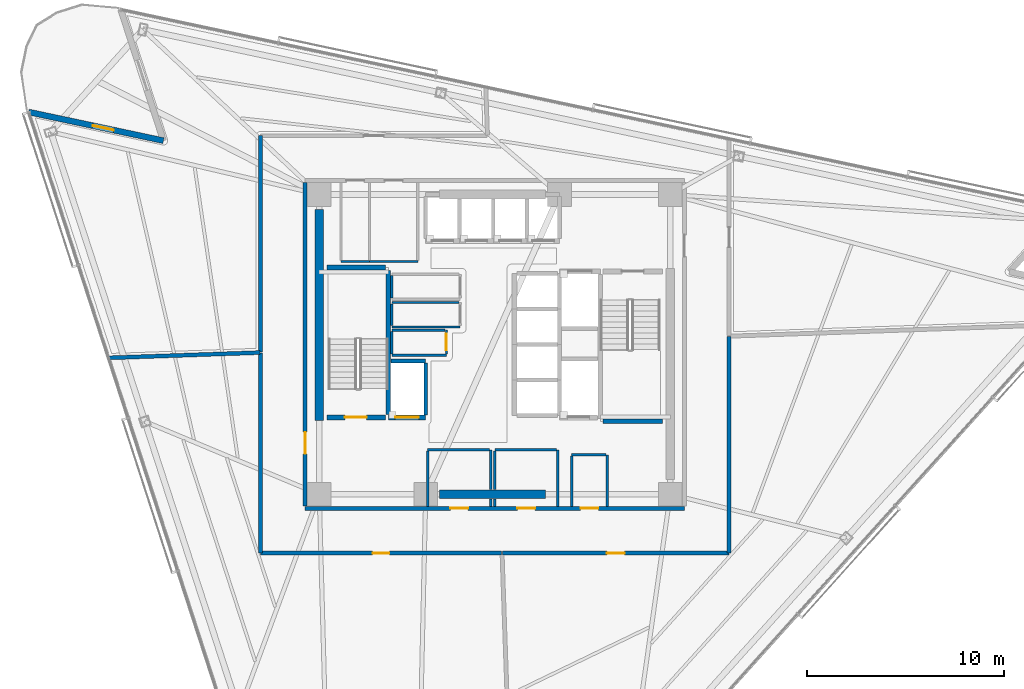
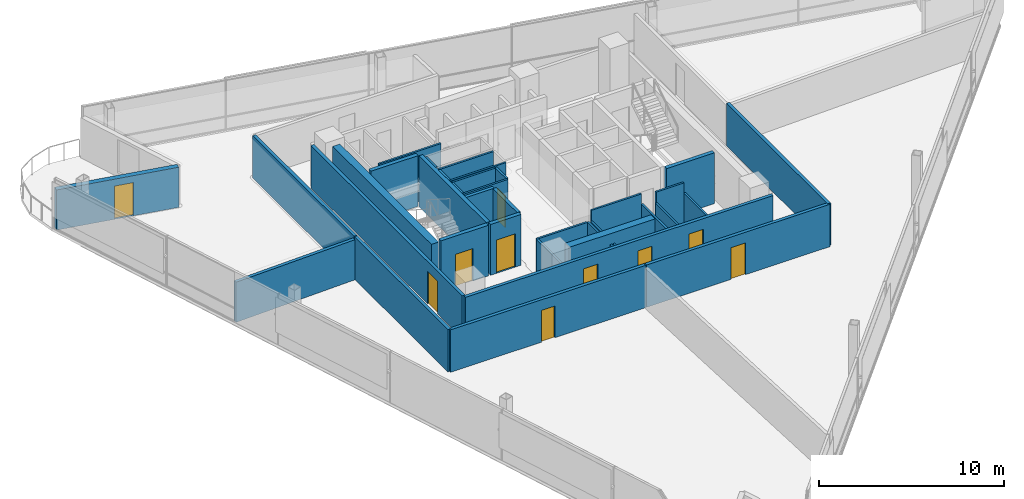
# One storey, part 10 of 17: 39 walls, 10 doors, 10 openings.
"""IFC4 building model written with IfcOpenShell, lengths in metres."""

import ifcopenshell
import ifcopenshell.guid

model = None  # the IFC model being written
_history = None  # IfcOwnerHistory: only IFC2X3 demands one
_inside = {}  # id of a spatial element -> (the spatial element, [elements in it])
_under = {}  # id of a project, library or spatial element -> (it, [spatial elements below it])
_declared = {}  # id of a project -> (the project, [libraries it declares])
_typed = {}  # id of a type object -> (the type object, [elements of that type])
_made_of = {}  # id of a material, layer set ... -> (it, [elements and type objects made of it])


def new_model(schema):
    """Start an empty IFC model of exactly this schema.

    Asked for "IFC4X3", IfcOpenShell would pick the latest addendum, in which some entities
    have other attributes; the version numbers below select the first issue.
    IFC2X3 requires an IfcOwnerHistory on every rooted entity: one is made here for all.
    """
    global model, _history
    if schema == "IFC4X3":
        model = ifcopenshell.file(schema_version=(4, 3, 0, 0))
    else:
        model = ifcopenshell.file(schema=schema)
    _inside.clear()
    _under.clear()
    _declared.clear()
    _typed.clear()
    _made_of.clear()
    _history = None
    if model.schema == "IFC2X3":
        org = make("IfcOrganization", Name="unknown")
        user = make(
            "IfcPersonAndOrganization",
            ThePerson=make("IfcPerson", FamilyName="unknown"),
            TheOrganization=org,
        )
        app = make(
            "IfcApplication",
            ApplicationDeveloper=org,
            Version="unknown",
            ApplicationFullName="unknown",
            ApplicationIdentifier="unknown",
        )
        _history = make(
            "IfcOwnerHistory",
            OwningUser=user,
            OwningApplication=app,
            ChangeAction="ADDED",
            CreationDate=0,
        )
    return model


def make(cls, **values):
    """One entity of the class cls with the attributes given. An attribute that is None is left unset."""
    return model.create_entity(
        cls, **{name: value for name, value in values.items() if value is not None}
    )


def rooted(cls, **values):
    """An entity with a GlobalId (a new one), such as an element, a storey or a relation."""
    return make(cls, GlobalId=ifcopenshell.guid.new(), OwnerHistory=_history, **values)


def si_unit(unit_type, name, prefix=None):
    """IfcSIUnit, for example si_unit("LENGTHUNIT", "METRE", prefix="MILLI")."""
    return make("IfcSIUnit", UnitType=unit_type, Prefix=prefix, Name=name)


def assignment(units):
    """IfcUnitAssignment: the units of a project."""
    return None if units is None else make("IfcUnitAssignment", Units=units)


def point(xyz):
    """IfcCartesianPoint."""
    return None if xyz is None else make("IfcCartesianPoint", Coordinates=xyz)


def direction(xyz):
    """IfcDirection."""
    return None if xyz is None else make("IfcDirection", DirectionRatios=xyz)


def frame(location, z_axis=None, x_axis=None):
    """IfcAxis2Placement3D, a coordinate frame: its origin and axes. An axis left out is left unset."""
    return make(
        "IfcAxis2Placement3D",
        Location=point(location),
        Axis=direction(z_axis),
        RefDirection=direction(x_axis),
    )


def frame_2d(location, x_axis=None):
    """IfcAxis2Placement2D, a coordinate frame in the plane: its origin and x axis."""
    return make(
        "IfcAxis2Placement2D", Location=point(location), RefDirection=direction(x_axis)
    )


def origin():
    """The frame at (0, 0, 0) with its axes left unset."""
    return frame((0.0, 0.0, 0.0))


def place(relative_to, where):
    """IfcLocalPlacement: puts the frame where relative to a parent placement (None: the world)."""
    return make(
        "IfcLocalPlacement", PlacementRelTo=relative_to, RelativePlacement=where
    )


def context(
    kind, dimensions, precision=None, world=None, true_north=None, identifier=None
):
    """IfcGeometricRepresentationContext, for example the 3D "Model" context."""
    return make(
        "IfcGeometricRepresentationContext",
        ContextIdentifier=identifier,
        ContextType=kind,
        CoordinateSpaceDimension=dimensions,
        Precision=precision,
        WorldCoordinateSystem=world,
        TrueNorth=true_north,
    )


def subcontext(parent, identifier, kind, view, scale=None):
    """IfcGeometricRepresentationSubContext, for example "Body" below "Model"."""
    return make(
        "IfcGeometricRepresentationSubContext",
        ContextIdentifier=identifier,
        ContextType=kind,
        ParentContext=parent,
        TargetScale=scale,
        TargetView=view,
    )


def project(units=None, contexts=None):
    """IfcProject with its units and contexts."""
    return rooted(
        "IfcProject",
        Name="project",
        RepresentationContexts=contexts,
        UnitsInContext=assignment(units),
    )


def spatial(cls, under=None, at=None, **own):
    """A site, building, storey or space (cls), placed at a placement, below another one or the project."""
    s = rooted(cls, ObjectPlacement=at, **own)
    if under is not None:
        _under.setdefault(under.id(), (under, []))[1].append(s)
    return s


def profile(cls, at=None, kind="AREA", **sizes):
    """A parametric profile (cls). Its sizes go by their IFC names, for example OverallWidth=200.0."""
    return make(cls, ProfileType=kind, Position=at, **sizes)


def rectangle(**sizes):
    """IfcRectangleProfileDef."""
    return profile("IfcRectangleProfileDef", **sizes)


def extrude(swept, where, along, depth):
    """IfcExtrudedAreaSolid: the profile swept, set in the frame where, extruded along a direction by depth."""
    return make(
        "IfcExtrudedAreaSolid",
        SweptArea=swept,
        Position=where,
        ExtrudedDirection=direction(along),
        Depth=depth,
    )


def shape(context_of_items, identifier, shape_type, items):
    """IfcShapeRepresentation: the items that make up one representation, for example the "Body"."""
    return make(
        "IfcShapeRepresentation",
        ContextOfItems=context_of_items,
        RepresentationIdentifier=identifier,
        RepresentationType=shape_type,
        Items=items,
    )


def material(Name=None, Category=None):
    """IfcMaterial."""
    return make("IfcMaterial", Name=Name, Category=Category)


def layer(
    of_material, thickness, ventilated=None, Name=None, Category=None, Priority=None
):
    """IfcMaterialLayer: one layer of a wall or slab, of a material (None: an air gap)."""
    return make(
        "IfcMaterialLayer",
        Material=of_material,
        LayerThickness=thickness,
        IsVentilated=ventilated,
        Name=Name,
        Category=Category,
        Priority=Priority,
    )


def layer_set(layers, Name=None):
    """IfcMaterialLayerSet."""
    return make("IfcMaterialLayerSet", MaterialLayers=layers, LayerSetName=Name)


def made_of(thing, what):
    """Note that an element or type object is made of a material, layer set ...; save() writes the relation."""
    if what is not None:
        _made_of.setdefault(what.id(), (what, []))[1].append(thing)
    return thing


def type_object(cls, material=None, **own):
    """A type object (cls), such as IfcWallType, which elements share."""
    return made_of(rooted(cls, **own), material)


def element(
    cls,
    number,
    at=None,
    inside=None,
    cuts=None,
    type_object=None,
    material=None,
    context=None,
    identifier="Body",
    shape_type=None,
    held_by="IfcProductDefinitionShape",
    body=None,
    shapes=None,
    **own,
):
    """One element of the class cls, such as IfcWall. Its Tag is "e" and its number.

    at: its placement. inside: the storey or other place that contains it. cuts: it is an
    opening in that element (IfcRelVoidsElement). A single representation is given by context,
    identifier, shape_type and body (its items); several are given by shapes. held_by: the class
    of the entity that holds the representations. save() writes the other relations.
    """
    e = rooted(cls, Tag="e%d" % number, ObjectPlacement=at, **own)
    if body is not None:
        shapes = [shape(context, identifier, shape_type, body)]
    if shapes is not None:
        e.Representation = make(held_by, Representations=shapes)
    if inside is not None:
        _inside.setdefault(inside.id(), (inside, []))[1].append(e)
    if cuts is not None:
        rooted(
            "IfcRelVoidsElement", RelatingBuildingElement=cuts, RelatedOpeningElement=e
        )
    if type_object is not None:
        _typed.setdefault(type_object.id(), (type_object, []))[1].append(e)
    return made_of(e, material)


def fill(opening, filler):
    """IfcRelFillsElement: the door or window that sits in an opening."""
    return rooted(
        "IfcRelFillsElement",
        RelatingOpeningElement=opening,
        RelatedBuildingElement=filler,
    )


def aggregate(whole, parts):
    """IfcRelAggregates: a whole, such as a stair, and the parts it consists of."""
    return rooted("IfcRelAggregates", RelatingObject=whole, RelatedObjects=parts)


def save(model, path):
    """Write the relations noted so far, then the file.

    IfcRelAggregates (storeys below a building ...), IfcRelContainedInSpatialStructure (elements
    in a storey), IfcRelDefinesByType, IfcRelAssociatesMaterial and IfcRelDeclares: one each for
    every whole, place, type object, material and project.
    """
    for whole, parts in _under.values():
        aggregate(whole, parts)
    for where, things in _inside.values():
        rooted(
            "IfcRelContainedInSpatialStructure",
            RelatedElements=things,
            RelatingStructure=where,
        )
    for kind, things in _typed.values():
        rooted("IfcRelDefinesByType", RelatedObjects=things, RelatingType=kind)
    for what, things in _made_of.values():
        rooted("IfcRelAssociatesMaterial", RelatedObjects=things, RelatingMaterial=what)
    for by, libraries in _declared.values():
        rooted("IfcRelDeclares", RelatingContext=by, RelatedDefinitions=libraries)
    model.write(path)


model = new_model("IFC4")

# Units and contexts
model_context = context("Model", 3, precision=1e-05, world=origin(), true_north=direction((0.0, 1.0)))
body_context = subcontext(model_context, "Body", "Model", "MODEL_VIEW")
ifc_project = project(units=[si_unit("LENGTHUNIT", "METRE"), si_unit("AREAUNIT", "SQUARE_METRE"), si_unit("VOLUMEUNIT", "CUBIC_METRE"), si_unit("PLANEANGLEUNIT", "RADIAN"), si_unit("MASSUNIT", "GRAM", prefix="KILO")], contexts=[model_context])

# Site, building, storey
site_placement = place(None, origin())
site = spatial("IfcSite", under=ifc_project, at=site_placement, CompositionType="ELEMENT")
building_placement = place(site_placement, origin())
building = spatial("IfcBuilding", under=site, at=building_placement, Name="Tharavind Bronze Gate", CompositionType="ELEMENT")
storey_placement = place(building_placement, frame((0.0, 0.0, 218.449951171875)))
storey = spatial("IfcBuildingStorey", under=building, at=storey_placement, Name="L56", CompositionType="ELEMENT", Elevation=218.449951171875)

# Wall, opening, door
ifc_material_1 = material(Name="Concrete C40/50", Category="concrete")
ifc_layer_1 = layer(ifc_material_1, 0.300048828125)
ifc_layer_set_1 = layer_set([ifc_layer_1], Name="Concrete C40/50")
wall_type_1 = type_object("IfcWallType", Name="EXTERIOR SPANDREL WALL 300", PredefinedType="STANDARD", material=ifc_layer_set_1)
wall_1_placement = place(storey_placement, frame((-16.802734375, 10.329345703125, 0.0), z_axis=(0.0, 0.0, 1.0), x_axis=(-0.9781486268, 0.207906863497, 0.0)))
wall_1 = element("IfcWall", 1, at=wall_1_placement, inside=storey, type_object=wall_type_1, Name="L56 notch cheek wall 1B", PredefinedType="STANDARD", context=body_context, shape_type="SweptSolid", body=[
    extrude(rectangle(XDim=6.97998046875, YDim=0.300048828125, at=frame_2d((3.489990234375, 0.0))), origin(), (0.0, 0.0, 1.0), 2.655029296875),
])
opening_1_placement = place(wall_1_placement, frame((2.570068359375, 0.0, 0.0)))
opening_1 = element("IfcOpeningElement", 2, at=opening_1_placement, cuts=wall_1, Name="Opening ED04", PredefinedType="OPENING", context=body_context, shape_type="SweptSolid", body=[
    extrude(rectangle(XDim=1.10009765625, YDim=2.199951171875, at=frame_2d((0.550048828125, 1.10009765625))), frame((0.0, 0.15990234375, 0.0), z_axis=(0.0, -1.0, 0.0), x_axis=(1.0, 0.0, 0.0)), (0.0, 0.0, 1.0), 0.320048828125),
])
ifc_material_2 = material(Name="Bronze Aluminium & Toughened Glass", Category="aluminium")
door_type_1 = type_object("IfcDoorType", Name="TREE BALCONY ACCESS DOOR 1100X2200", OperationType="SINGLE_SWING_LEFT", PredefinedType="DOOR", material=ifc_material_2)
door_1_placement = place(opening_1_placement, origin())
door_1 = element("IfcDoor", 3, at=door_1_placement, inside=storey, type_object=door_type_1, Name="L56 tree balcony access door", OperationType="SINGLE_SWING_LEFT", OverallHeight=2.199951171875, OverallWidth=1.10009765625, PredefinedType="DOOR", context=body_context, shape_type="SweptSolid", body=[
    extrude(rectangle(XDim=1.10009765625, YDim=2.199951171875, at=frame_2d((0.550048828125, 1.10009765625))), frame((0.0, 0.02490234375, 0.0), z_axis=(0.0, -1.0, 0.0), x_axis=(1.0, 0.0, 0.0)), (0.0, 0.0, 1.0), 0.050048828125),
])
fill(opening_1, door_1)

# Wall, openings, doors
ifc_material_3 = material(Name="Aerated Concrete Block", Category="concrete")
ifc_layer_2 = layer(ifc_material_3, 0.199951171875)
ifc_layer_set_2 = layer_set([ifc_layer_2], Name="Aerated Concrete Block")
wall_type_2 = type_object("IfcWallType", Name="FIRE RATED PARTITION 200", PredefinedType="PARTITIONING", material=ifc_layer_set_2)
wall_2_placement = place(storey_placement, frame((-9.6201171875, -8.320068359375, 0.0), z_axis=(0.0, 0.0, 1.0), x_axis=(1.0, 0.0, 0.0)))
wall_2 = element("IfcWall", 4, at=wall_2_placement, inside=storey, type_object=wall_type_2, Name="L56 south core corridor wall", PredefinedType="PARTITIONING", context=body_context, shape_type="SweptSolid", body=[
    extrude(rectangle(XDim=19.240234375, YDim=0.199951171875, at=frame_2d((9.6201171875, 0.0))), origin(), (0.0, 0.0, 1.0), 2.804931640625),
])
opening_2_placement = place(wall_2_placement, frame((7.3701171875, 0.0, 0.0)))
opening_2 = element("IfcOpeningElement", 5, at=opening_2_placement, cuts=wall_2, Name="Opening ID07", PredefinedType="OPENING", context=body_context, shape_type="SweptSolid", body=[
    extrude(rectangle(XDim=0.89990234375, YDim=2.10009765625, at=frame_2d((0.449951171875, 1.050048828125))), frame((0.0, 0.11009765625, 0.0), z_axis=(0.0, -1.0, 0.0), x_axis=(1.0, 0.0, 0.0)), (0.0, 0.0, 1.0), 0.219951171875),
])
opening_3_placement = place(wall_2_placement, frame((10.77001953125, 0.0, 0.0)))
opening_3 = element("IfcOpeningElement", 6, at=opening_3_placement, cuts=wall_2, Name="Opening ID07", PredefinedType="OPENING", context=body_context, shape_type="SweptSolid", body=[
    extrude(rectangle(XDim=0.89990234375, YDim=2.10009765625, at=frame_2d((0.449951171875, 1.050048828125))), frame((0.0, 0.11009765625, 0.0), z_axis=(0.0, -1.0, 0.0), x_axis=(1.0, 0.0, 0.0)), (0.0, 0.0, 1.0), 0.219951171875),
])
opening_4_placement = place(wall_2_placement, frame((13.969970703125, 0.0, 0.0)))
opening_4 = element("IfcOpeningElement", 7, at=opening_4_placement, cuts=wall_2, Name="Opening ID07", PredefinedType="OPENING", context=body_context, shape_type="SweptSolid", body=[
    extrude(rectangle(XDim=0.89990234375, YDim=2.10009765625, at=frame_2d((0.449951171875, 1.050048828125))), frame((0.0, 0.11009765625, 0.0), z_axis=(0.0, -1.0, 0.0), x_axis=(1.0, 0.0, 0.0)), (0.0, 0.0, 1.0), 0.219951171875),
])
ifc_material_4 = material(Name="Galvanised Fire Steel", Category="steel")
door_type_2 = type_object("IfcDoorType", Name="PLANT AND RISER FIRE DOOR 900X2100", OperationType="SINGLE_SWING_LEFT", PredefinedType="DOOR", material=ifc_material_4)
door_2_placement = place(opening_2_placement, frame((0.89990234375, 0.0, 0.0), z_axis=(0.0, 0.0, 1.0), x_axis=(-1.0, 0.0, 0.0)))
door_2 = element("IfcDoor", 8, at=door_2_placement, inside=storey, type_object=door_type_2, Name="L56 Core Archive Store fire door", OperationType="SINGLE_SWING_LEFT", OverallHeight=2.10009765625, OverallWidth=0.89990234375, PredefinedType="DOOR", context=body_context, shape_type="SweptSolid", body=[
    extrude(rectangle(XDim=0.89990234375, YDim=2.10009765625, at=frame_2d((0.449951171875, 1.050048828125))), frame((0.0, 0.02490234375, 0.0), z_axis=(0.0, -1.0, 0.0), x_axis=(1.0, 0.0, 0.0)), (0.0, 0.0, 1.0), 0.050048828125),
])
fill(opening_2, door_2)
door_3_placement = place(opening_3_placement, frame((0.89990234375, 0.0, 0.0), z_axis=(0.0, 0.0, 1.0), x_axis=(-1.0, 0.0, 0.0)))
door_3 = element("IfcDoor", 9, at=door_3_placement, inside=storey, type_object=door_type_2, Name="L56 Core Server Room fire door", OperationType="SINGLE_SWING_LEFT", OverallHeight=2.10009765625, OverallWidth=0.89990234375, PredefinedType="DOOR", context=body_context, shape_type="SweptSolid", body=[
    extrude(rectangle(XDim=0.89990234375, YDim=2.10009765625, at=frame_2d((0.449951171875, 1.050048828125))), frame((0.0, 0.02490234375, 0.0), z_axis=(0.0, -1.0, 0.0), x_axis=(1.0, 0.0, 0.0)), (0.0, 0.0, 1.0), 0.050048828125),
])
fill(opening_3, door_3)
door_4_placement = place(opening_4_placement, frame((0.89990234375, 0.0, 0.0), z_axis=(0.0, 0.0, 1.0), x_axis=(-1.0, 0.0, 0.0)))
door_4 = element("IfcDoor", 10, at=door_4_placement, inside=storey, type_object=door_type_2, Name="L56 Janitor Store Cupboard fire door", OperationType="SINGLE_SWING_LEFT", OverallHeight=2.10009765625, OverallWidth=0.89990234375, PredefinedType="DOOR", context=body_context, shape_type="SweptSolid", body=[
    extrude(rectangle(XDim=0.89990234375, YDim=2.10009765625, at=frame_2d((0.449951171875, 1.050048828125))), frame((0.0, 0.02490234375, 0.0), z_axis=(0.0, -1.0, 0.0), x_axis=(1.0, 0.0, 0.0)), (0.0, 0.0, 1.0), 0.050048828125),
])
fill(opening_4, door_4)

# Wall, opening, door
wall_3_placement = place(storey_placement, frame((-9.6201171875, 8.199951171875, 0.0), z_axis=(0.0, 0.0, 1.0), x_axis=(0.0, -1.0, 0.0)))
wall_3 = element("IfcWall", 11, at=wall_3_placement, inside=storey, type_object=wall_type_2, Name="L56 west core corridor wall", PredefinedType="PARTITIONING", context=body_context, shape_type="SweptSolid", body=[
    extrude(rectangle(XDim=16.39990234375, YDim=0.199951171875, at=frame_2d((8.199951171875, 0.0))), origin(), (0.0, 0.0, 1.0), 2.804931640625),
])
opening_5_placement = place(wall_3_placement, frame((12.64990234375, 0.0, 0.0)))
opening_5 = element("IfcOpeningElement", 12, at=opening_5_placement, cuts=wall_3, Name="Opening ID01", PredefinedType="OPENING", context=body_context, shape_type="SweptSolid", body=[
    extrude(rectangle(XDim=1.10009765625, YDim=2.14990234375, at=frame_2d((0.550048828125, 1.074951171875))), frame((0.0, 0.11009765625, 0.0), z_axis=(0.0, -1.0, 0.0), x_axis=(1.0, 0.0, 0.0)), (0.0, 0.0, 1.0), 0.219951171875),
])
ifc_material_5 = material(Name="Fire-Rated Steel", Category="steel")
door_type_3 = type_object("IfcDoorType", Name="STAIR CORE FIRE DOOR 1100X2150", OperationType="SINGLE_SWING_LEFT", PredefinedType="DOOR", material=ifc_material_5)
door_5_placement = place(opening_5_placement, frame((1.10009765625, 0.0, 0.0), z_axis=(0.0, 0.0, 1.0), x_axis=(-1.0, 0.0, 0.0)))
door_5 = element("IfcDoor", 13, at=door_5_placement, inside=storey, type_object=door_type_3, Name="L56 south west stair lobby fire door", OperationType="SINGLE_SWING_LEFT", OverallHeight=2.14990234375, OverallWidth=1.10009765625, PredefinedType="DOOR", context=body_context, shape_type="SweptSolid", body=[
    extrude(rectangle(XDim=1.10009765625, YDim=2.14990234375, at=frame_2d((0.550048828125, 1.074951171875))), frame((0.0, 0.02490234375, 0.0), z_axis=(0.0, -1.0, 0.0), x_axis=(1.0, 0.0, 0.0)), (0.0, 0.0, 1.0), 0.050048828125),
])
fill(opening_5, door_5)

wall_4_placement = place(storey_placement, frame((-11.87939453125, -10.580078125, 0.0), z_axis=(0.0, 0.0, 1.0), x_axis=(1.0, 0.0, 0.0)))
wall_4 = element("IfcWall", 14, at=wall_4_placement, inside=storey, type_object=wall_type_2, Name="L56 Public Restrooms Block partition", PredefinedType="PARTITIONING", context=body_context, shape_type="SweptSolid", body=[
    extrude(rectangle(XDim=12.224609375, YDim=0.199951171875, at=frame_2d((6.1123046875, 0.0))), origin(), (0.0, 0.0, 1.0), 2.804931640625),
])
opening_6_placement = place(wall_4_placement, frame((5.68701171875, 0.0, 0.0)))
opening_6 = element("IfcOpeningElement", 15, at=opening_6_placement, cuts=wall_4, Name="Opening ID06", PredefinedType="OPENING", context=body_context, shape_type="SweptSolid", body=[
    extrude(rectangle(XDim=0.85009765625, YDim=2.10009765625, at=frame_2d((0.425048828125, 1.050048828125))), frame((0.0, 0.11009765625, 0.0), z_axis=(0.0, -1.0, 0.0), x_axis=(1.0, 0.0, 0.0)), (0.0, 0.0, 1.0), 0.219951171875),
])
ifc_material_6 = material(Name="Moisture-Resistant Timber", Category="wood")
door_type_4 = type_object("IfcDoorType", Name="BATHROOM PRIVACY DOOR 850X2100", OperationType="SINGLE_SWING_RIGHT", PredefinedType="DOOR", material=ifc_material_6)
door_6_placement = place(opening_6_placement, origin())
door_6 = element("IfcDoor", 16, at=door_6_placement, inside=storey, type_object=door_type_4, Name="L56 Public Restrooms Block door", OperationType="SINGLE_SWING_RIGHT", OverallHeight=2.10009765625, OverallWidth=0.85009765625, PredefinedType="DOOR", context=body_context, shape_type="SweptSolid", body=[
    extrude(rectangle(XDim=0.85009765625, YDim=2.10009765625, at=frame_2d((0.425048828125, 1.050048828125))), frame((0.0, 0.02490234375, 0.0), z_axis=(0.0, -1.0, 0.0), x_axis=(1.0, 0.0, 0.0)), (0.0, 0.0, 1.0), 0.050048828125),
])
fill(opening_6, door_6)

# Walls
wall_5_placement = place(storey_placement, frame((-19.580322265625, -0.683837890625, 0.0), z_axis=(0.0, 0.0, 1.0), x_axis=(0.999390493716, 0.03490903996, 0.0)))
element("IfcWall", 17, at=wall_5_placement, inside=storey, type_object=wall_type_2, Name="L56 Public Restrooms Block partition", PredefinedType="PARTITIONING", context=body_context, shape_type="SweptSolid", body=[
    extrude(rectangle(XDim=7.678955078125, YDim=0.199951171875, at=frame_2d((3.83935546875, 0.0))), origin(), (0.0, 0.0, 1.0), 2.655029296875),
])
wall_6_placement = place(storey_placement, frame((-11.8798828125, -0.440673828125, 0.0), z_axis=(0.0, 0.0, 1.0), x_axis=(0.0, -1.0, 0.0)))
element("IfcWall", 18, at=wall_6_placement, inside=storey, type_object=wall_type_2, Name="L56 Public Restrooms Block partition", PredefinedType="PARTITIONING", context=body_context, shape_type="SweptSolid", body=[
    extrude(rectangle(XDim=10.138671875, YDim=0.199951171875, at=frame_2d((5.0693359375, 0.0))), origin(), (0.0, 0.0, 1.0), 2.804931640625),
])
wall_7_placement = place(storey_placement, frame((-11.8798828125, 10.579345703125, 0.0), z_axis=(0.0, 0.0, 1.0), x_axis=(0.0, -1.0, 0.0)))
element("IfcWall", 19, at=wall_7_placement, inside=storey, type_object=wall_type_2, Name="L56 Media Production Office partition", PredefinedType="PARTITIONING", context=body_context, shape_type="SweptSolid", body=[
    extrude(rectangle(XDim=10.969970703125, YDim=0.199951171875, at=frame_2d((5.48486328125, 0.0))), origin(), (0.0, 0.0, 1.0), 2.804931640625),
])

# Wall, opening, door
wall_8_placement = place(storey_placement, frame((0.395263671875, -10.580078125, 0.0), z_axis=(0.0, 0.0, 1.0), x_axis=(1.0, 0.0, 0.0)))
wall_8 = element("IfcWall", 20, at=wall_8_placement, inside=storey, type_object=wall_type_2, Name="L56 Broadcast Tea Pantry partition", PredefinedType="PARTITIONING", context=body_context, shape_type="SweptSolid", body=[
    extrude(rectangle(XDim=11.484130859375, YDim=0.199951171875, at=frame_2d((5.7421875, 0.0))), origin(), (0.0, 0.0, 1.0), 2.804931640625),
])
opening_7_placement = place(wall_8_placement, frame((5.2919921875, 0.0, 0.0)))
opening_7 = element("IfcOpeningElement", 21, at=opening_7_placement, cuts=wall_8, Name="Opening ID07", PredefinedType="OPENING", context=body_context, shape_type="SweptSolid", body=[
    extrude(rectangle(XDim=0.89990234375, YDim=2.10009765625, at=frame_2d((0.449951171875, 1.050048828125))), frame((0.0, 0.11009765625, 0.0), z_axis=(0.0, -1.0, 0.0), x_axis=(1.0, 0.0, 0.0)), (0.0, 0.0, 1.0), 0.219951171875),
])
door_7_placement = place(opening_7_placement, origin())
door_7 = element("IfcDoor", 22, at=door_7_placement, inside=storey, type_object=door_type_2, Name="L56 Broadcast Tea Pantry door", OperationType="SINGLE_SWING_LEFT", OverallHeight=2.10009765625, OverallWidth=0.89990234375, PredefinedType="DOOR", context=body_context, shape_type="SweptSolid", body=[
    extrude(rectangle(XDim=0.89990234375, YDim=2.10009765625, at=frame_2d((0.449951171875, 1.050048828125))), frame((0.0, 0.02490234375, 0.0), z_axis=(0.0, -1.0, 0.0), x_axis=(1.0, 0.0, 0.0)), (0.0, 0.0, 1.0), 0.050048828125),
])
fill(opening_7, door_7)

# Walls
wall_9_placement = place(storey_placement, frame((11.8798828125, -10.579345703125, 0.0), z_axis=(0.0, 0.0, 1.0), x_axis=(0.0, 1.0, 0.0)))
element("IfcWall", 23, at=wall_9_placement, inside=storey, type_object=wall_type_2, Name="L56 Broadcast Tea Pantry partition", PredefinedType="PARTITIONING", context=body_context, shape_type="SweptSolid", body=[
    extrude(rectangle(XDim=10.969970703125, YDim=0.199951171875, at=frame_2d((5.48486328125, 0.0))), origin(), (0.0, 0.0, 1.0), 2.804931640625),
])
ifc_material_7 = material(Name="Metal Stud Gypsum Partition", Category="gypsum")
ifc_layer_3 = layer(ifc_material_7, 0.1201171875)
ifc_layer_set_3 = layer_set([ifc_layer_3], Name="Metal Stud Gypsum Partition")
wall_type_3 = type_object("IfcWallType", Name="INTERIOR PARTITION WALL 120", PredefinedType="PARTITIONING", material=ifc_layer_set_3)
wall_10_placement = place(storey_placement, frame((-5.219970703125, 3.485107421875, 0.0), z_axis=(0.0, 0.0, 1.0), x_axis=(0.0, -1.0, 0.0)))
element("IfcWall", 24, at=wall_10_placement, inside=storey, type_object=wall_type_3, Name="L56 Housekeeping Linen Store partition 4", PredefinedType="PARTITIONING", context=body_context, shape_type="SweptSolid", body=[
    extrude(rectangle(XDim=1.14013671875, YDim=0.1201171875, at=frame_2d((0.570068359375, 0.0))), origin(), (0.0, 0.0, 1.0), 3.360107421875),
])
wall_11_placement = place(storey_placement, frame((-5.219970703125, 0.8798828125, 0.0), z_axis=(0.0, 0.0, 1.0), x_axis=(1.0, 0.0, 0.0)))
element("IfcWall", 25, at=wall_11_placement, inside=storey, type_object=wall_type_3, Name="L56 Comms Data Room partition 1", PredefinedType="PARTITIONING", context=body_context, shape_type="SweptSolid", body=[
    extrude(rectangle(XDim=3.469970703125, YDim=0.1201171875, at=frame_2d((1.73486328125, 0.0))), origin(), (0.0, 0.0, 1.0), 3.360107421875),
])
wall_12_placement = place(storey_placement, frame((-1.81494140625, 2.1201171875, 0.0), z_axis=(0.0, 0.0, 1.0), x_axis=(-1.0, 0.0, 0.0)))
element("IfcWall", 26, at=wall_12_placement, inside=storey, type_object=wall_type_3, Name="L56 Comms Data Room partition 3", PredefinedType="PARTITIONING", context=body_context, shape_type="SweptSolid", body=[
    extrude(rectangle(XDim=3.405029296875, YDim=0.1201171875, at=frame_2d((1.70263671875, 0.0))), origin(), (0.0, 0.0, 1.0), 3.360107421875),
])
wall_13_placement = place(storey_placement, frame((-5.219970703125, 2.054931640625, 0.0), z_axis=(0.0, 0.0, 1.0), x_axis=(0.0, -1.0, 0.0)))
element("IfcWall", 27, at=wall_13_placement, inside=storey, type_object=wall_type_3, Name="L56 Comms Data Room partition 4", PredefinedType="PARTITIONING", context=body_context, shape_type="SweptSolid", body=[
    extrude(rectangle(XDim=1.10986328125, YDim=0.1201171875, at=frame_2d((0.554931640625, 0.0))), origin(), (0.0, 0.0, 1.0), 3.360107421875),
])
wall_14_placement = place(storey_placement, frame((-5.219970703125, -0.550048828125, 0.0), z_axis=(0.0, 0.0, 1.0), x_axis=(1.0, 0.0, 0.0)))
element("IfcWall", 28, at=wall_14_placement, inside=storey, type_object=wall_type_3, Name="L56 Electrical Metering Store partition 1", PredefinedType="PARTITIONING", context=body_context, shape_type="SweptSolid", body=[
    extrude(rectangle(XDim=2.77001953125, YDim=0.1201171875, at=frame_2d((1.385009765625, 0.0))), origin(), (0.0, 0.0, 1.0), 3.360107421875),
])

# Wall, opening, door
wall_15_placement = place(storey_placement, frame((-2.449951171875, -0.485107421875, 0.0), z_axis=(0.0, 0.0, 1.0), x_axis=(0.0, 1.0, 0.0)))
wall_15 = element("IfcWall", 29, at=wall_15_placement, inside=storey, type_object=wall_type_3, Name="L56 Electrical Metering Store partition 2", PredefinedType="PARTITIONING", context=body_context, shape_type="SweptSolid", body=[
    extrude(rectangle(XDim=1.205078125, YDim=0.1201171875, at=frame_2d((0.6025390625, 0.0))), origin(), (0.0, 0.0, 1.0), 3.360107421875),
])
opening_8_placement = place(wall_15_placement, frame((0.177978515625, 0.0, 0.0)))
opening_8 = element("IfcOpeningElement", 30, at=opening_8_placement, cuts=wall_15, Name="Opening ID06", PredefinedType="OPENING", context=body_context, shape_type="SweptSolid", body=[
    extrude(rectangle(XDim=0.85009765625, YDim=2.10009765625, at=frame_2d((0.425048828125, 1.050048828125))), frame((0.0, 0.07005859375, 0.0), z_axis=(0.0, -1.0, 0.0), x_axis=(1.0, 0.0, 0.0)), (0.0, 0.0, 1.0), 0.1401171875),
])
door_8_placement = place(opening_8_placement, frame((0.85009765625, 0.0, 0.0), z_axis=(0.0, 0.0, 1.0), x_axis=(-1.0, 0.0, 0.0)))
door_8 = element("IfcDoor", 31, at=door_8_placement, inside=storey, type_object=door_type_4, Name="L56 Electrical Metering Store door", OperationType="SINGLE_SWING_RIGHT", OverallHeight=2.10009765625, OverallWidth=0.85009765625, PredefinedType="DOOR", context=body_context, shape_type="SweptSolid", body=[
    extrude(rectangle(XDim=0.85009765625, YDim=2.10009765625, at=frame_2d((0.425048828125, 1.050048828125))), frame((0.0, 0.02490234375, 0.0), z_axis=(0.0, -1.0, 0.0), x_axis=(1.0, 0.0, 0.0)), (0.0, 0.0, 1.0), 0.050048828125),
])
fill(opening_8, door_8)

# Walls
wall_16_placement = place(storey_placement, frame((-2.514892578125, 0.719970703125, 0.0), z_axis=(0.0, 0.0, 1.0), x_axis=(-1.0, 0.0, 0.0)))
element("IfcWall", 32, at=wall_16_placement, inside=storey, type_object=wall_type_3, Name="L56 Electrical Metering Store partition 3", PredefinedType="PARTITIONING", context=body_context, shape_type="SweptSolid", body=[
    extrude(rectangle(XDim=2.705078125, YDim=0.1201171875, at=frame_2d((1.3525390625, 0.0))), origin(), (0.0, 0.0, 1.0), 3.360107421875),
])
wall_17_placement = place(storey_placement, frame((-5.219970703125, 0.655029296875, 0.0), z_axis=(0.0, 0.0, 1.0), x_axis=(0.0, -1.0, 0.0)))
element("IfcWall", 33, at=wall_17_placement, inside=storey, type_object=wall_type_3, Name="L56 Electrical Metering Store partition 4", PredefinedType="PARTITIONING", context=body_context, shape_type="SweptSolid", body=[
    extrude(rectangle(XDim=1.14013671875, YDim=0.1201171875, at=frame_2d((0.570068359375, 0.0))), origin(), (0.0, 0.0, 1.0), 3.360107421875),
])
wall_18_placement = place(storey_placement, frame((-0.199951171875, -8.215087890625, 0.0), z_axis=(0.0, 0.0, 1.0), x_axis=(0.0, 1.0, 0.0)))
element("IfcWall", 34, at=wall_18_placement, inside=storey, type_object=wall_type_3, Name="L56 Core Archive Store partition 2", PredefinedType="PARTITIONING", context=body_context, shape_type="SweptSolid", body=[
    extrude(rectangle(XDim=0.385009765625, YDim=0.1201171875, at=frame_2d((0.1923828125, 0.0))), origin(), (0.0, 0.0, 1.0), 2.655029296875),
])
wall_19_placement = place(storey_placement, frame((-0.199951171875, -7.3701171875, 0.0), z_axis=(0.0, 0.0, 1.0), x_axis=(0.0, 1.0, 0.0)))
element("IfcWall", 35, at=wall_19_placement, inside=storey, type_object=wall_type_3, Name="L56 Core Archive Store partition 2", PredefinedType="PARTITIONING", context=body_context, shape_type="SweptSolid", body=[
    extrude(rectangle(XDim=2.02001953125, YDim=0.1201171875, at=frame_2d((1.010009765625, 0.0))), origin(), (0.0, 0.0, 1.0), 2.655029296875),
])
wall_20_placement = place(storey_placement, frame((-0.264892578125, -5.35009765625, 0.0), z_axis=(0.0, 0.0, 1.0), x_axis=(-1.0, 0.0, 0.0)))
element("IfcWall", 36, at=wall_20_placement, inside=storey, type_object=wall_type_3, Name="L56 Core Archive Store partition 3", PredefinedType="PARTITIONING", context=body_context, shape_type="SweptSolid", body=[
    extrude(rectangle(XDim=3.135009765625, YDim=0.1201171875, at=frame_2d((1.5673828125, 0.0))), origin(), (0.0, 0.0, 1.0), 2.655029296875),
])
wall_21_placement = place(storey_placement, frame((-3.39990234375, -5.4150390625, 0.0), z_axis=(0.0, 0.0, 1.0), x_axis=(0.0, -1.0, 0.0)))
element("IfcWall", 37, at=wall_21_placement, inside=storey, type_object=wall_type_3, Name="L56 Core Archive Store partition 4", PredefinedType="PARTITIONING", context=body_context, shape_type="SweptSolid", body=[
    extrude(rectangle(XDim=2.800048828125, YDim=0.1201171875, at=frame_2d((1.39990234375, 0.0))), origin(), (0.0, 0.0, 1.0), 2.655029296875),
])
wall_22_placement = place(storey_placement, frame((3.199951171875, -8.215087890625, 0.0), z_axis=(0.0, 0.0, 1.0), x_axis=(0.0, 1.0, 0.0)))
element("IfcWall", 38, at=wall_22_placement, inside=storey, type_object=wall_type_3, Name="L56 Core Server Room partition 2", PredefinedType="PARTITIONING", context=body_context, shape_type="SweptSolid", body=[
    extrude(rectangle(XDim=2.864990234375, YDim=0.1201171875, at=frame_2d((1.4326171875, 0.0))), origin(), (0.0, 0.0, 1.0), 2.655029296875),
])
wall_23_placement = place(storey_placement, frame((3.135009765625, -5.35009765625, 0.0), z_axis=(0.0, 0.0, 1.0), x_axis=(-1.0, 0.0, 0.0)))
element("IfcWall", 39, at=wall_23_placement, inside=storey, type_object=wall_type_3, Name="L56 Core Server Room partition 3", PredefinedType="PARTITIONING", context=body_context, shape_type="SweptSolid", body=[
    extrude(rectangle(XDim=3.135009765625, YDim=0.1201171875, at=frame_2d((1.5673828125, 0.0))), origin(), (0.0, 0.0, 1.0), 3.360107421875),
])
wall_24_placement = place(storey_placement, frame((0.0, -5.4150390625, 0.0), z_axis=(0.0, 0.0, 1.0), x_axis=(0.0, -1.0, 0.0)))
element("IfcWall", 40, at=wall_24_placement, inside=storey, type_object=wall_type_3, Name="L56 Core Server Room partition 4", PredefinedType="PARTITIONING", context=body_context, shape_type="SweptSolid", body=[
    extrude(rectangle(XDim=1.955078125, YDim=0.1201171875, at=frame_2d((0.9775390625, 0.0))), origin(), (0.0, 0.0, 1.0), 2.655029296875),
])
wall_25_placement = place(storey_placement, frame((0.0, -7.830078125, 0.0), z_axis=(0.0, 0.0, 1.0), x_axis=(0.0, -1.0, 0.0)))
element("IfcWall", 41, at=wall_25_placement, inside=storey, type_object=wall_type_3, Name="L56 Core Server Room partition 4", PredefinedType="PARTITIONING", context=body_context, shape_type="SweptSolid", body=[
    extrude(rectangle(XDim=0.385009765625, YDim=0.1201171875, at=frame_2d((0.1923828125, 0.0))), origin(), (0.0, 0.0, 1.0), 2.655029296875),
])
wall_26_placement = place(storey_placement, frame((-7.800048828125, 4.199951171875, 0.0), z_axis=(0.0, 0.0, 1.0), x_axis=(1.0, 0.0, 0.0)))
element("IfcWall", 42, at=wall_26_placement, inside=storey, type_object=wall_type_3, Name="L56 Battery Backup Cupboard partition 1", PredefinedType="PARTITIONING", context=body_context, shape_type="SweptSolid", body=[
    extrude(rectangle(XDim=1.449951171875, YDim=0.1201171875, at=frame_2d((0.72509765625, 0.0))), origin(), (0.0, 0.0, 1.0), 3.360107421875),
])
wall_27_placement = place(storey_placement, frame((-6.35009765625, 4.199951171875, 0.0), z_axis=(0.0, 0.0, 1.0), x_axis=(1.0, 0.0, 0.0)))
element("IfcWall", 43, at=wall_27_placement, inside=storey, type_object=wall_type_3, Name="L56 Cleaner Store Room partition 1", PredefinedType="PARTITIONING", context=body_context, shape_type="SweptSolid", body=[
    extrude(rectangle(XDim=2.4501953125, YDim=0.1201171875, at=frame_2d((1.22509765625, 0.0))), origin(), (0.0, 0.0, 1.0), 3.360107421875),
])
wall_28_placement = place(storey_placement, frame((5.699951171875, -8.215087890625, 0.0), z_axis=(0.0, 0.0, 1.0), x_axis=(0.0, 1.0, 0.0)))
element("IfcWall", 44, at=wall_28_placement, inside=storey, type_object=wall_type_3, Name="L56 Janitor Store Cupboard partition 2", PredefinedType="PARTITIONING", context=body_context, shape_type="SweptSolid", body=[
    extrude(rectangle(XDim=2.614990234375, YDim=0.1201171875, at=frame_2d((1.3076171875, 0.0))), origin(), (0.0, 0.0, 1.0), 2.655029296875),
])
wall_29_placement = place(storey_placement, frame((5.635009765625, -5.60009765625, 0.0), z_axis=(0.0, 0.0, 1.0), x_axis=(-1.0, 0.0, 0.0)))
element("IfcWall", 45, at=wall_29_placement, inside=storey, type_object=wall_type_3, Name="L56 Janitor Store Cupboard partition 3", PredefinedType="PARTITIONING", context=body_context, shape_type="SweptSolid", body=[
    extrude(rectangle(XDim=1.735107421875, YDim=0.1201171875, at=frame_2d((0.86767578125, 0.0))), origin(), (0.0, 0.0, 1.0), 3.360107421875),
])
wall_30_placement = place(storey_placement, frame((3.89990234375, -5.6650390625, 0.0), z_axis=(0.0, 0.0, 1.0), x_axis=(0.0, -1.0, 0.0)))
element("IfcWall", 46, at=wall_30_placement, inside=storey, type_object=wall_type_3, Name="L56 Janitor Store Cupboard partition 4", PredefinedType="PARTITIONING", context=body_context, shape_type="SweptSolid", body=[
    extrude(rectangle(XDim=2.550048828125, YDim=0.1201171875, at=frame_2d((1.27490234375, 0.0))), origin(), (0.0, 0.0, 1.0), 2.655029296875),
])
ifc_material_8 = material(Name="Concrete C50/60", Category="concrete")
ifc_layer_4 = layer(ifc_material_8, 0.25)
ifc_layer_set_4 = layer_set([ifc_layer_4], Name="Concrete C50/60")
wall_type_4 = type_object("IfcWallType", Name="RC CORE SHEAR WALL 250", PredefinedType="SHEAR", material=ifc_layer_set_4)
wall_31_placement = place(storey_placement, frame((-5.39990234375, -3.550048828125, 0.0), z_axis=(0.0, 0.0, 1.0), x_axis=(0.0, 1.0, 0.0)))
element("IfcWall", 47, at=wall_31_placement, inside=storey, type_object=wall_type_4, Name="L56 ST1 shaft east wall", PredefinedType="SHEAR", context=body_context, shape_type="SweptSolid", body=[
    extrude(rectangle(XDim=7.300048828125, YDim=0.25, at=frame_2d((3.64990234375, 0.0))), origin(), (0.0, 0.0, 1.0), 3.360107421875),
])

# Wall, opening, door
wall_32_placement = place(storey_placement, frame((-8.5, -3.699951171875, 0.0), z_axis=(0.0, 0.0, 1.0), x_axis=(1.0, 0.0, 0.0)))
wall_32 = element("IfcWall", 48, at=wall_32_placement, inside=storey, type_object=wall_type_4, Name="L56 ST1 shaft south wall", PredefinedType="SHEAR", context=body_context, shape_type="SweptSolid", body=[
    extrude(rectangle(XDim=2.949951171875, YDim=0.25, at=frame_2d((1.47509765625, 0.0))), origin(), (0.0, 0.0, 1.0), 3.360107421875),
])
opening_9_placement = place(wall_32_placement, frame((0.89990234375, 0.0, 0.0)))
opening_9 = element("IfcOpeningElement", 49, at=opening_9_placement, cuts=wall_32, Name="Opening ID01", PredefinedType="OPENING", context=body_context, shape_type="SweptSolid", body=[
    extrude(rectangle(XDim=1.10009765625, YDim=2.14990234375, at=frame_2d((0.550048828125, 1.074951171875))), frame((0.0, 0.135, 0.0), z_axis=(0.0, -1.0, 0.0), x_axis=(1.0, 0.0, 0.0)), (0.0, 0.0, 1.0), 0.27),
])
door_9_placement = place(opening_9_placement, origin())
door_9 = element("IfcDoor", 50, at=door_9_placement, inside=storey, type_object=door_type_3, Name="L56 exit stair ST1 fire door", OperationType="SINGLE_SWING_LEFT", OverallHeight=2.14990234375, OverallWidth=1.10009765625, PredefinedType="DOOR", context=body_context, shape_type="SweptSolid", body=[
    extrude(rectangle(XDim=1.10009765625, YDim=2.14990234375, at=frame_2d((0.550048828125, 1.074951171875))), frame((0.0, 0.02490234375, 0.0), z_axis=(0.0, -1.0, 0.0), x_axis=(1.0, 0.0, 0.0)), (0.0, 0.0, 1.0), 0.050048828125),
])
fill(opening_9, door_9)

# Walls
wall_33_placement = place(storey_placement, frame((-8.5, 3.89990234375, 0.0), z_axis=(0.0, 0.0, 1.0), x_axis=(1.0, 0.0, 0.0)))
element("IfcWall", 51, at=wall_33_placement, inside=storey, type_object=wall_type_4, Name="L56 ST1 shaft north wall", PredefinedType="SHEAR", context=body_context, shape_type="SweptSolid", body=[
    extrude(rectangle(XDim=2.949951171875, YDim=0.25, at=frame_2d((1.47509765625, 0.0))), origin(), (0.0, 0.0, 1.0), 3.360107421875),
])
wall_34_placement = place(storey_placement, frame((5.5, -3.89990234375, 0.0), z_axis=(0.0, 0.0, 1.0), x_axis=(1.0, 0.0, 0.0)))
element("IfcWall", 52, at=wall_34_placement, inside=storey, type_object=wall_type_4, Name="L56 ST2 shaft south wall", PredefinedType="SHEAR", context=body_context, shape_type="SweptSolid", body=[
    extrude(rectangle(XDim=3.0, YDim=0.25, at=frame_2d((1.5, 0.0))), origin(), (0.0, 0.0, 1.0), 3.360107421875),
])

# Wall, opening, door
wall_35_placement = place(storey_placement, frame((-5.39990234375, -3.699951171875, 0.0), z_axis=(0.0, 0.0, 1.0), x_axis=(1.0, 0.0, 0.0)))
wall_35 = element("IfcWall", 53, at=wall_35_placement, inside=storey, type_object=wall_type_4, Name="L56 lift FFL1 shaft front wall", PredefinedType="SHEAR", context=body_context, shape_type="SweptSolid", body=[
    extrude(rectangle(XDim=1.89990234375, YDim=0.25, at=frame_2d((0.949951171875, 0.0))), origin(), (0.0, 0.0, 1.0), 3.360107421875),
])
opening_10_placement = place(wall_35_placement, frame((0.35009765625, 0.0, 0.0)))
opening_10 = element("IfcOpeningElement", 54, at=opening_10_placement, cuts=wall_35, Name="Opening LD02", PredefinedType="OPENING", context=body_context, shape_type="SweptSolid", body=[
    extrude(rectangle(XDim=1.199951171875, YDim=2.199951171875, at=frame_2d((0.60009765625, 1.10009765625))), frame((0.0, 0.135, 0.0), z_axis=(0.0, -1.0, 0.0), x_axis=(1.0, 0.0, 0.0)), (0.0, 0.0, 1.0), 0.27),
])
ifc_material_9 = material(Name="Brushed Stainless Steel", Category="steel")
door_type_5 = type_object("IfcDoorType", Name="FIREFIGHTING LIFT LANDING DOOR 1200X2200", OperationType="SLIDING_TO_RIGHT", PredefinedType="DOOR", material=ifc_material_9)
door_10_placement = place(opening_10_placement, origin())
door_10 = element("IfcDoor", 55, at=door_10_placement, inside=storey, type_object=door_type_5, Name="L56 lift FFL1 sliding landing door", OperationType="SLIDING_TO_RIGHT", OverallHeight=2.199951171875, OverallWidth=1.199951171875, PredefinedType="DOOR", context=body_context, shape_type="SweptSolid", body=[
    extrude(rectangle(XDim=1.199951171875, YDim=2.199951171875, at=frame_2d((0.60009765625, 1.10009765625))), frame((0.0, 0.02490234375, 0.0), z_axis=(0.0, -1.0, 0.0), x_axis=(1.0, 0.0, 0.0)), (0.0, 0.0, 1.0), 0.050048828125),
])
fill(opening_10, door_10)

# Walls
ifc_material_10 = material(Name="Concrete C60/75", Category="concrete")
ifc_layer_5 = layer(ifc_material_10, 0.449951171875)
ifc_layer_set_5 = layer_set([ifc_layer_5], Name="Concrete C60/75")
wall_type_5 = type_object("IfcWallType", Name="RC CORE SHEAR WALL 450", PredefinedType="SHEAR", material=ifc_layer_set_5)
wall_36_placement = place(storey_placement, frame((-2.800048828125, -7.60009765625, 0.0), z_axis=(0.0, 0.0, 1.0), x_axis=(1.0, 0.0, 0.0)))
element("IfcWall", 56, at=wall_36_placement, inside=storey, type_object=wall_type_5, Name="L56 south core shear wall", PredefinedType="SHEAR", context=body_context, shape_type="SweptSolid", body=[
    extrude(rectangle(XDim=5.380126953125, YDim=0.449951171875, at=frame_2d((2.68994140625, 0.0))), origin(), (0.0, 0.0, 1.0), 3.360107421875),
])
wall_37_placement = place(storey_placement, frame((-8.89990234375, -3.85009765625, 0.0), z_axis=(0.0, 0.0, 1.0), x_axis=(0.0, 1.0, 0.0)))
element("IfcWall", 57, at=wall_37_placement, inside=storey, type_object=wall_type_5, Name="L56 west core shear wall", PredefinedType="SHEAR", context=body_context, shape_type="SweptSolid", body=[
    extrude(rectangle(XDim=10.7001953125, YDim=0.449951171875, at=frame_2d((5.35009765625, 0.0))), origin(), (0.0, 0.0, 1.0), 3.360107421875),
])
ifc_layer_6 = layer(ifc_material_1, 0.199951171875)
ifc_layer_set_6 = layer_set([ifc_layer_6], Name="Concrete C40/50")
wall_type_6 = type_object("IfcWallType", Name="SHAFT ENCLOSURE WALL 200", PredefinedType="PARTITIONING", material=ifc_layer_set_6)
wall_38_placement = place(storey_placement, frame((-5.27001953125, -0.85009765625, 0.0), z_axis=(0.0, 0.0, 1.0), x_axis=(1.0, 0.0, 0.0)))
element("IfcWall", 58, at=wall_38_placement, inside=storey, type_object=wall_type_6, Name="L56 lift FFL1 shaft N enclosure wall", PredefinedType="PARTITIONING", context=body_context, shape_type="SweptSolid", body=[
    extrude(rectangle(XDim=1.77001953125, YDim=0.199951171875, at=frame_2d((0.885009765625, 0.0))), origin(), (0.0, 0.0, 1.0), 3.360107421875),
])
wall_39_placement = place(storey_placement, frame((-3.5, -3.570068359375, 0.0), z_axis=(0.0, 0.0, 1.0), x_axis=(0.0, 1.0, 0.0)))
element("IfcWall", 59, at=wall_39_placement, inside=storey, type_object=wall_type_6, Name="L56 lift FFL1 shaft E enclosure wall", PredefinedType="PARTITIONING", context=body_context, shape_type="SweptSolid", body=[
    extrude(rectangle(XDim=2.614990234375, YDim=0.199951171875, at=frame_2d((1.3076171875, 0.0))), origin(), (0.0, 0.0, 1.0), 3.360107421875),
])

save(model, "model.ifc")
